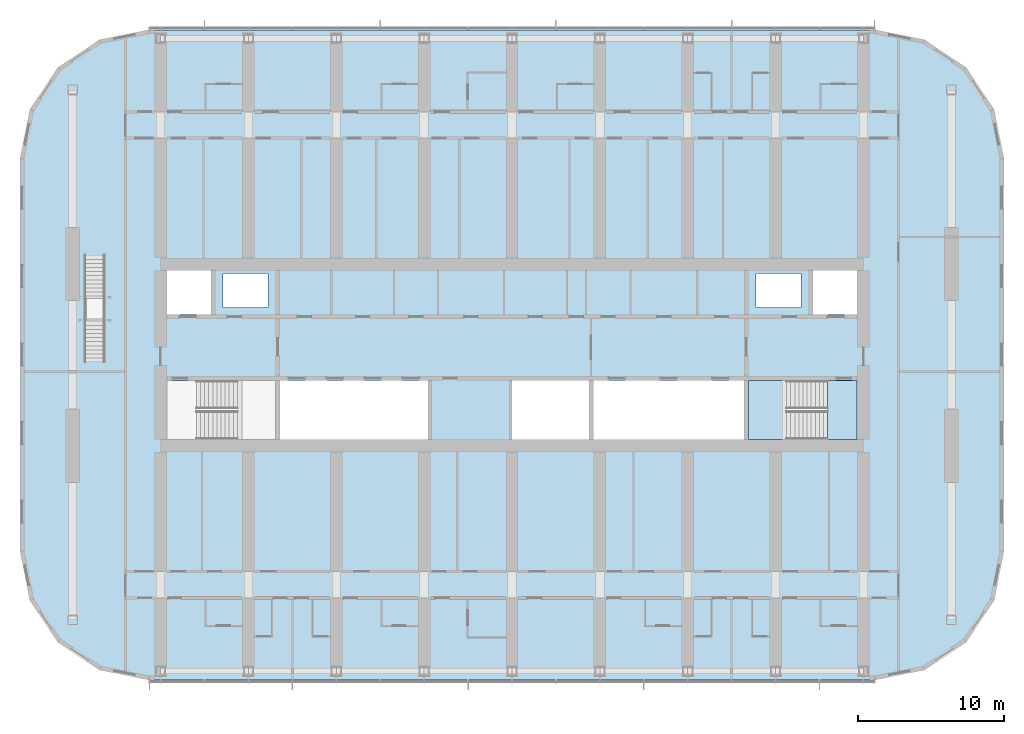
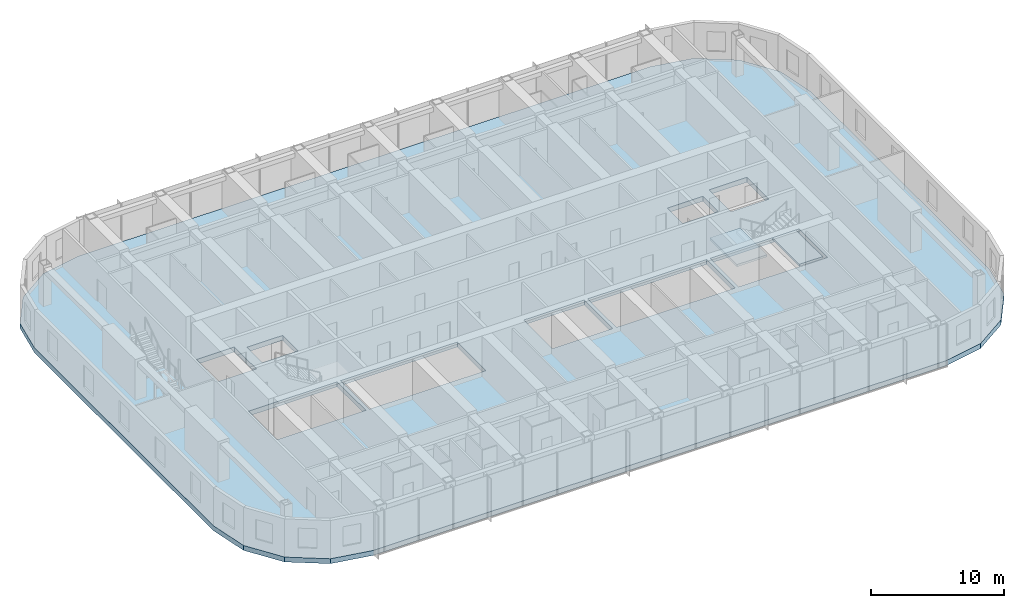
# One storey, part 11 of 28: 3 slabs, 1 element without a shape of its own.
"""IFC4 building model written with IfcOpenShell, lengths in metres."""

from ifc_helpers import new_model, si_unit, direction, frame, origin, place, context, subcontext, project, spatial, polyline, outline, extrude, material, layer, layer_set, type_object, element, aggregate, save


model = new_model("IFC4")

# Units and contexts
model_context = context("Model", 3, precision=1e-05, world=origin(), true_north=direction((0.0, 1.0)))
body_context = subcontext(model_context, "Body", "Model", "MODEL_VIEW")
ifc_project = project(units=[si_unit("LENGTHUNIT", "METRE"), si_unit("AREAUNIT", "SQUARE_METRE"), si_unit("VOLUMEUNIT", "CUBIC_METRE"), si_unit("PLANEANGLEUNIT", "RADIAN"), si_unit("MASSUNIT", "GRAM", prefix="KILO")], contexts=[model_context])

# Site, building, storey
site_placement = place(None, origin())
site = spatial("IfcSite", under=ifc_project, at=site_placement, CompositionType="ELEMENT")
building_placement = place(site_placement, origin())
building = spatial("IfcBuilding", under=site, at=building_placement, Name="Orbita Commons", CompositionType="ELEMENT")
storey_placement = place(building_placement, frame((0.0, 0.0, 193.60009765625)))
storey = spatial("IfcBuildingStorey", under=building, at=storey_placement, Name="L48", CompositionType="ELEMENT", Elevation=193.60009765625)

# Slab
ifc_material_1 = material(Name="Concrete C40/50", Category="concrete")
ifc_layer_1 = layer(ifc_material_1, 0.449951171875)
ifc_layer_set_1 = layer_set([ifc_layer_1], Name="Concrete C40/50")
slab_type_1 = type_object("IfcSlabType", Name="Floor slab 450", PredefinedType="FLOOR", material=ifc_layer_set_1)
slab_1_placement = place(storey_placement, frame((0.0, 0.0, -0.4501953125)))
element("IfcSlab", 1, at=slab_1_placement, inside=storey, type_object=slab_type_1, Name="Floor slab L48", PredefinedType="FLOOR", context=body_context, shape_type="SweptSolid", body=[
    extrude(outline(polyline([(66.800048828125, 9.800048828125), (70.167724609375, 10.469970703125), (73.0224609375, 12.37744140625), (74.93017578125, 15.232421875), (75.60009765625, 18.60009765625), (75.60009765625, 45.39990234375), (74.93017578125, 48.767578125), (73.0224609375, 51.62255859375), (70.167724609375, 53.530029296875), (66.800048828125, 54.199951171875), (17.199951171875, 54.199951171875), (13.832275390625, 53.530029296875), (10.9775390625, 51.62255859375), (9.06982421875, 48.767578125), (8.39990234375, 45.39990234375), (8.39990234375, 18.60009765625), (9.06982421875, 15.232421875), (10.9775390625, 12.37744140625), (13.832275390625, 10.469970703125), (17.199951171875, 9.800048828125), (66.800048828125, 9.800048828125)]), holes=[polyline([(18.14990234375, 25.949951171875), (25.85009765625, 25.949951171875), (25.85009765625, 30.25), (18.14990234375, 30.25), (18.14990234375, 25.949951171875)]), polyline([(58.14990234375, 25.949951171875), (65.85009765625, 25.949951171875), (65.85009765625, 30.25), (58.14990234375, 30.25), (58.14990234375, 25.949951171875)]), polyline([(18.14990234375, 34.75), (21.449951171875, 34.75), (21.449951171875, 38.050048828125), (18.14990234375, 38.050048828125), (18.14990234375, 34.75)]), polyline([(62.550048828125, 34.75), (65.85009765625, 34.75), (65.85009765625, 38.050048828125), (62.550048828125, 38.050048828125), (62.550048828125, 34.75)]), polyline([(22.25, 35.25), (25.35009765625, 35.25), (25.35009765625, 37.550048828125), (22.25, 37.550048828125), (22.25, 35.25)]), polyline([(58.64990234375, 35.25), (61.75, 35.25), (61.75, 37.550048828125), (58.64990234375, 37.550048828125), (58.64990234375, 35.25)]), polyline([(26.14990234375, 25.949951171875), (36.25, 25.949951171875), (36.25, 30.25), (26.14990234375, 30.25), (26.14990234375, 25.949951171875)]), polyline([(42.0, 25.949951171875), (47.25, 25.949951171875), (47.25, 30.25), (42.0, 30.25), (42.0, 25.949951171875)]), polyline([(47.550048828125, 25.949951171875), (57.85009765625, 25.949951171875), (57.85009765625, 30.25), (47.550048828125, 30.25), (47.550048828125, 25.949951171875)])]), origin(), (0.0, 0.0, 1.0), 0.4501953125),
])

# Stair, slabs
ifc_material_2 = material(Name="Precast concrete C40/50", Category="concrete")
stair_type = type_object("IfcStairType", Name="Exit stair S2 2 flights 11 risers 170", PredefinedType="HALF_TURN_STAIR", material=ifc_material_2)
stair_placement = place(storey_placement, origin())
stair = element("IfcStair", 2, at=stair_placement, inside=storey, type_object=stair_type, Name="Exit stair S2 L48", PredefinedType="HALF_TURN_STAIR")
ifc_material_3 = material(Name="Concrete C40/50", Category="concrete")
ifc_layer_2 = layer(ifc_material_3, 0.199951171875)
ifc_layer_set_2 = layer_set([ifc_layer_2], Name="Concrete C40/50")
slab_type_2 = type_object("IfcSlabType", Name="Stair landing 200", PredefinedType="LANDING", material=ifc_layer_set_2)
slab_2_placement = place(storey_placement, frame((0.0, 0.0, -0.2001953125)))
slab_2 = element("IfcSlab", 3, at=slab_2_placement, type_object=slab_type_2, Name="S2 landing 1", PredefinedType="LANDING", context=body_context, shape_type="SweptSolid", body=[
    extrude(outline(polyline([(63.550048828125, 26.22509765625), (65.574951171875, 26.22509765625), (65.574951171875, 30.25), (63.550048828125, 30.25), (63.550048828125, 26.22509765625)])), origin(), (0.0, 0.0, 1.0), 0.2001953125),
])
slab_3_placement = place(storey_placement, frame((0.0, 0.0, 1.6748046875)))
slab_3 = element("IfcSlab", 4, at=slab_3_placement, type_object=slab_type_2, Name="S2 landing 2", PredefinedType="LANDING", context=body_context, shape_type="SweptSolid", body=[
    extrude(outline(polyline([(58.135009765625, 26.2099609375), (60.75, 26.2099609375), (60.75, 30.264892578125), (58.135009765625, 30.264892578125), (58.135009765625, 26.2099609375)])), origin(), (0.0, 0.0, 1.0), 0.2001953125),
])
aggregate(stair, [slab_2, slab_3])

save(model, "model.ifc")
